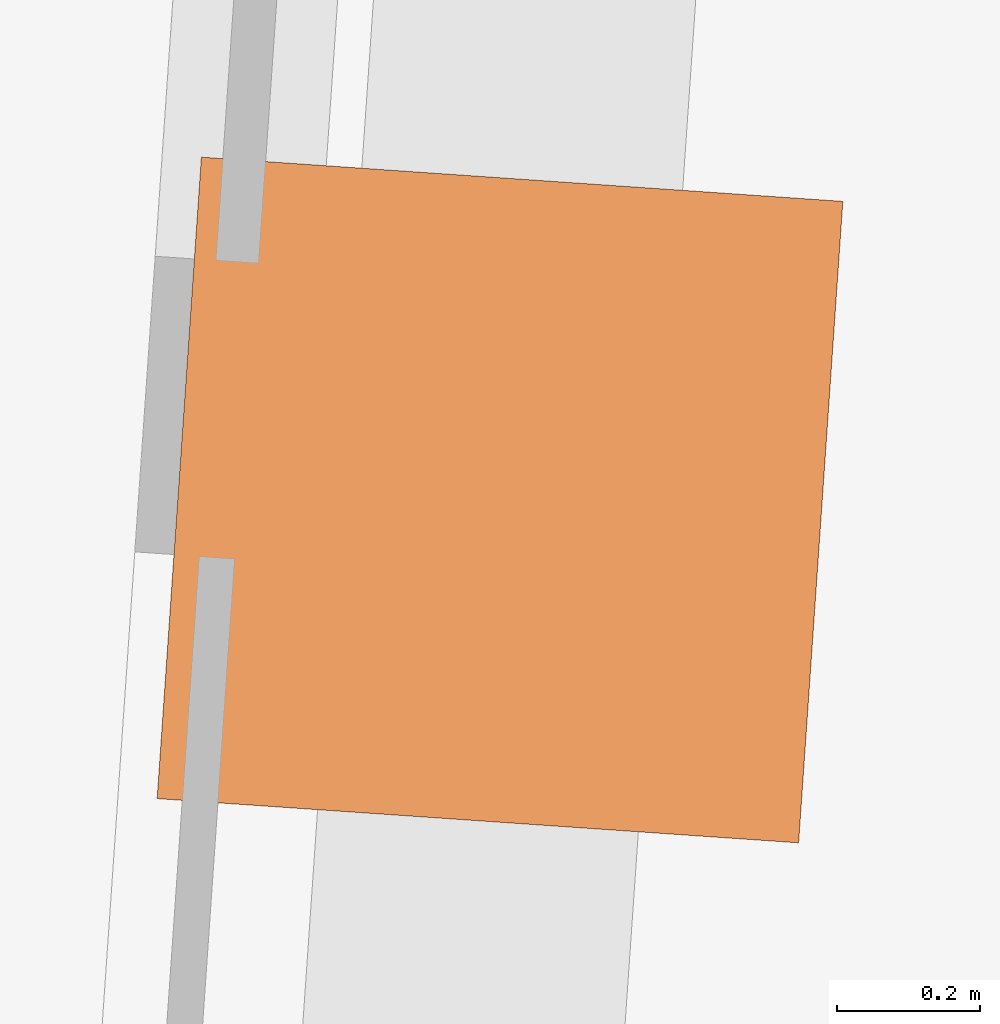
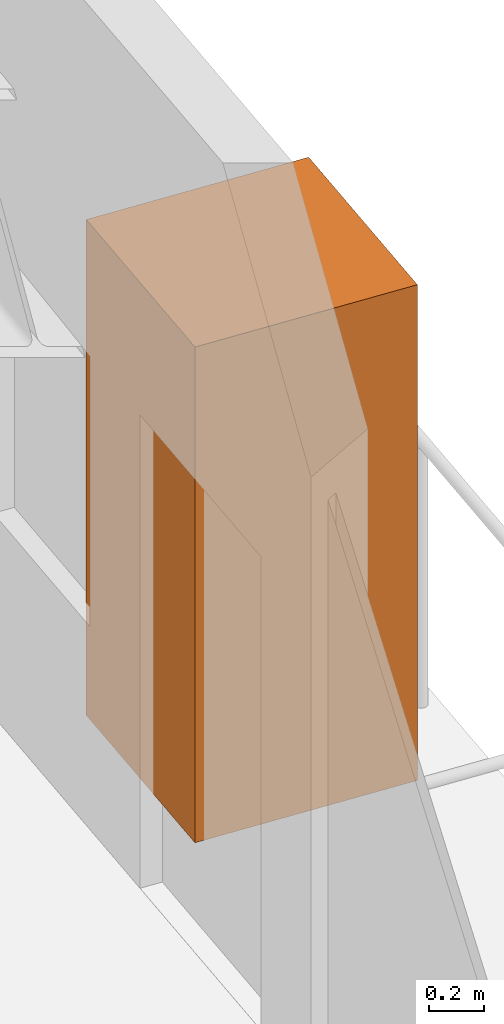
# One storey, part 10 of 10: 1 geographic element.
"""IFC4 building model written with IfcOpenShell, lengths in metres."""

from ifc_helpers import new_model, si_unit, direction, frame, origin, origin_2d, place, context, subcontext, project, spatial, rectangle, extrude, material, type_object, element, save


model = new_model("IFC4")

# Units and contexts
model_context = context("Model", 3, precision=1e-05, world=origin(), true_north=direction((0.0, 1.0)))
body_context = subcontext(model_context, "Body", "Model", "MODEL_VIEW")
ifc_project = project(units=[si_unit("LENGTHUNIT", "METRE"), si_unit("AREAUNIT", "SQUARE_METRE"), si_unit("VOLUMEUNIT", "CUBIC_METRE"), si_unit("PLANEANGLEUNIT", "RADIAN"), si_unit("MASSUNIT", "GRAM", prefix="KILO")], contexts=[model_context])

# Site, building, storey
site_placement = place(None, origin())
site = spatial("IfcSite", under=ifc_project, at=site_placement, CompositionType="ELEMENT")
building_placement = place(site_placement, origin())
building = spatial("IfcBuilding", under=site, at=building_placement, Name="Verdant Reach Tower", CompositionType="ELEMENT")
storey_placement = place(building_placement, frame((0.0, 0.0, 310.0)))
storey = spatial("IfcBuildingStorey", under=building, at=storey_placement, Name="L71", CompositionType="ELEMENT", Elevation=310.0)

# Geographic element
ifc_material = material(Name="Planting")
geographic_element_type = type_object("IfcGeographicElementType", Name="EN-TREE", PredefinedType="USERDEFINED", material=ifc_material)
geographic_element_placement = place(storey_placement, frame((21.218017578125, 55.197509765625, 0.39990234375), z_axis=(0.0, 0.0, 1.0), x_axis=(0.068802091615, 0.997630328423, 0.0)))
element("IfcGeographicElement", 1, at=geographic_element_placement, inside=storey, type_object=geographic_element_type, Name="Balcony tree, Surinam cherry (Eugenia uniflora), L71 1", ObjectType="TREE", PredefinedType="USERDEFINED", context=body_context, shape_type="SweptSolid", body=[
    extrude(rectangle(XDim=0.89990234375, YDim=0.89990234375, at=origin_2d()), origin(), (0.0, 0.0, 1.0), 2.199951171875),
])

save(model, "model.ifc")
